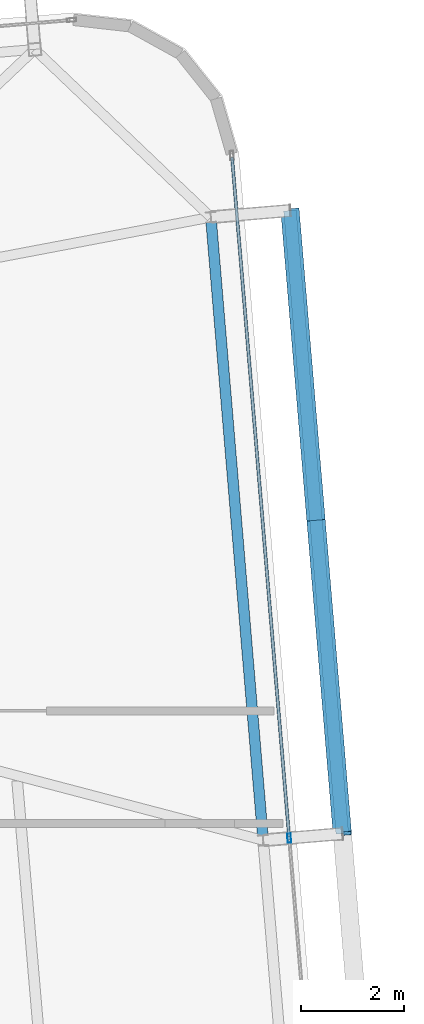
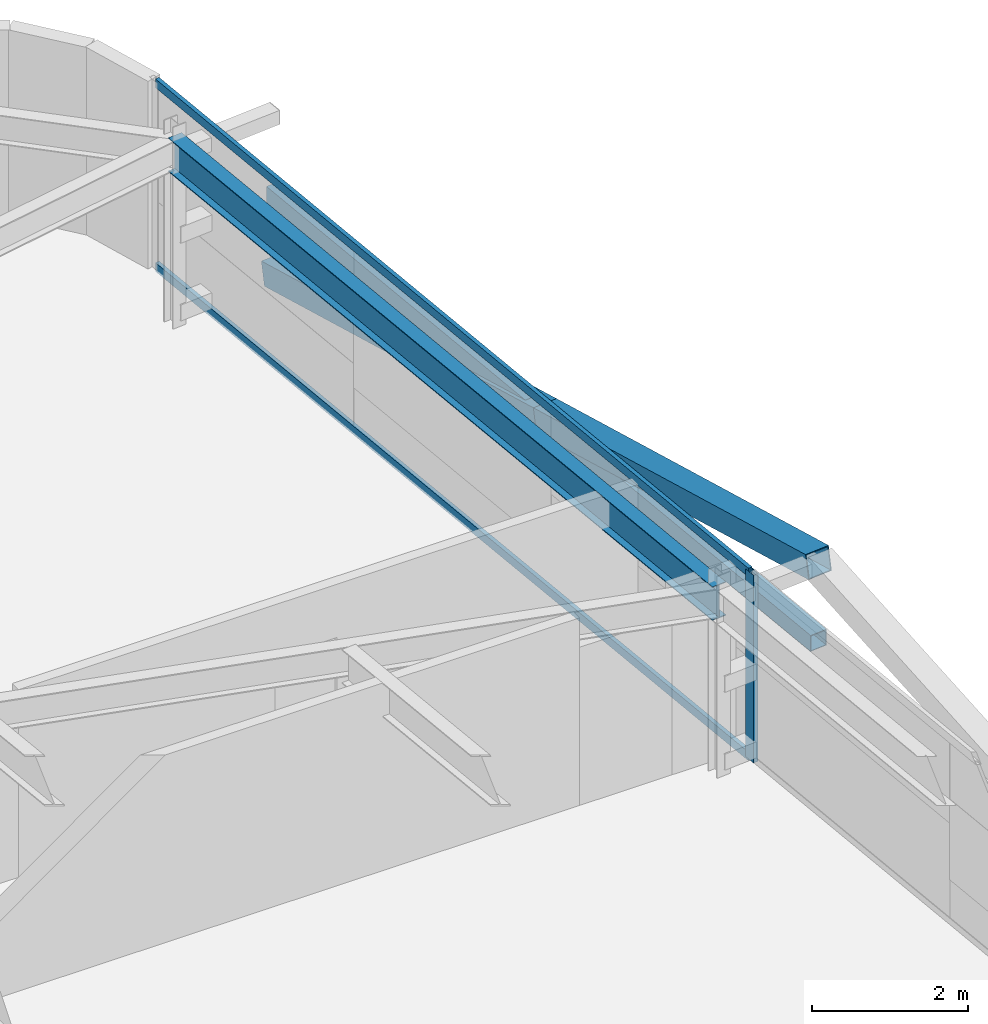
# One storey, part 20 of 39: 6 members, 1 beam, 1 element without a shape of its own.
"""IFC4 building model written with IfcOpenShell, lengths in metres."""

import ifcopenshell
import ifcopenshell.guid

model = None  # the IFC model being written
_history = None  # IfcOwnerHistory: only IFC2X3 demands one
_inside = {}  # id of a spatial element -> (the spatial element, [elements in it])
_under = {}  # id of a project, library or spatial element -> (it, [spatial elements below it])
_declared = {}  # id of a project -> (the project, [libraries it declares])
_typed = {}  # id of a type object -> (the type object, [elements of that type])
_made_of = {}  # id of a material, layer set ... -> (it, [elements and type objects made of it])


def new_model(schema):
    """Start an empty IFC model of exactly this schema.

    Asked for "IFC4X3", IfcOpenShell would pick the latest addendum, in which some entities
    have other attributes; the version numbers below select the first issue.
    IFC2X3 requires an IfcOwnerHistory on every rooted entity: one is made here for all.
    """
    global model, _history
    if schema == "IFC4X3":
        model = ifcopenshell.file(schema_version=(4, 3, 0, 0))
    else:
        model = ifcopenshell.file(schema=schema)
    _inside.clear()
    _under.clear()
    _declared.clear()
    _typed.clear()
    _made_of.clear()
    _history = None
    if model.schema == "IFC2X3":
        org = make("IfcOrganization", Name="unknown")
        user = make(
            "IfcPersonAndOrganization",
            ThePerson=make("IfcPerson", FamilyName="unknown"),
            TheOrganization=org,
        )
        app = make(
            "IfcApplication",
            ApplicationDeveloper=org,
            Version="unknown",
            ApplicationFullName="unknown",
            ApplicationIdentifier="unknown",
        )
        _history = make(
            "IfcOwnerHistory",
            OwningUser=user,
            OwningApplication=app,
            ChangeAction="ADDED",
            CreationDate=0,
        )
    return model


def make(cls, **values):
    """One entity of the class cls with the attributes given. An attribute that is None is left unset."""
    return model.create_entity(
        cls, **{name: value for name, value in values.items() if value is not None}
    )


def rooted(cls, **values):
    """An entity with a GlobalId (a new one), such as an element, a storey or a relation."""
    return make(cls, GlobalId=ifcopenshell.guid.new(), OwnerHistory=_history, **values)


def si_unit(unit_type, name, prefix=None):
    """IfcSIUnit, for example si_unit("LENGTHUNIT", "METRE", prefix="MILLI")."""
    return make("IfcSIUnit", UnitType=unit_type, Prefix=prefix, Name=name)


def assignment(units):
    """IfcUnitAssignment: the units of a project."""
    return None if units is None else make("IfcUnitAssignment", Units=units)


def point(xyz):
    """IfcCartesianPoint."""
    return None if xyz is None else make("IfcCartesianPoint", Coordinates=xyz)


def direction(xyz):
    """IfcDirection."""
    return None if xyz is None else make("IfcDirection", DirectionRatios=xyz)


def frame(location, z_axis=None, x_axis=None):
    """IfcAxis2Placement3D, a coordinate frame: its origin and axes. An axis left out is left unset."""
    return make(
        "IfcAxis2Placement3D",
        Location=point(location),
        Axis=direction(z_axis),
        RefDirection=direction(x_axis),
    )


def frame_2d(location, x_axis=None):
    """IfcAxis2Placement2D, a coordinate frame in the plane: its origin and x axis."""
    return make(
        "IfcAxis2Placement2D", Location=point(location), RefDirection=direction(x_axis)
    )


def origin():
    """The frame at (0, 0, 0) with its axes left unset."""
    return frame((0.0, 0.0, 0.0))


def origin_2d():
    """The frame at (0, 0) in the plane with its x axis left unset."""
    return frame_2d((0.0, 0.0))


def place(relative_to, where):
    """IfcLocalPlacement: puts the frame where relative to a parent placement (None: the world)."""
    return make(
        "IfcLocalPlacement", PlacementRelTo=relative_to, RelativePlacement=where
    )


def context(
    kind, dimensions, precision=None, world=None, true_north=None, identifier=None
):
    """IfcGeometricRepresentationContext, for example the 3D "Model" context."""
    return make(
        "IfcGeometricRepresentationContext",
        ContextIdentifier=identifier,
        ContextType=kind,
        CoordinateSpaceDimension=dimensions,
        Precision=precision,
        WorldCoordinateSystem=world,
        TrueNorth=true_north,
    )


def subcontext(parent, identifier, kind, view, scale=None):
    """IfcGeometricRepresentationSubContext, for example "Body" below "Model"."""
    return make(
        "IfcGeometricRepresentationSubContext",
        ContextIdentifier=identifier,
        ContextType=kind,
        ParentContext=parent,
        TargetScale=scale,
        TargetView=view,
    )


def project(units=None, contexts=None):
    """IfcProject with its units and contexts."""
    return rooted(
        "IfcProject",
        Name="project",
        RepresentationContexts=contexts,
        UnitsInContext=assignment(units),
    )


def spatial(cls, under=None, at=None, **own):
    """A site, building, storey or space (cls), placed at a placement, below another one or the project."""
    s = rooted(cls, ObjectPlacement=at, **own)
    if under is not None:
        _under.setdefault(under.id(), (under, []))[1].append(s)
    return s


def profile(cls, at=None, kind="AREA", **sizes):
    """A parametric profile (cls). Its sizes go by their IFC names, for example OverallWidth=200.0."""
    return make(cls, ProfileType=kind, Position=at, **sizes)


def hollow_rectangle(**sizes):
    """IfcRectangleHollowProfileDef."""
    return profile("IfcRectangleHollowProfileDef", **sizes)


def i_section(**sizes):
    """IfcIShapeProfileDef."""
    return profile("IfcIShapeProfileDef", **sizes)


def extrude(swept, where, along, depth):
    """IfcExtrudedAreaSolid: the profile swept, set in the frame where, extruded along a direction by depth."""
    return make(
        "IfcExtrudedAreaSolid",
        SweptArea=swept,
        Position=where,
        ExtrudedDirection=direction(along),
        Depth=depth,
    )


def shape(context_of_items, identifier, shape_type, items):
    """IfcShapeRepresentation: the items that make up one representation, for example the "Body"."""
    return make(
        "IfcShapeRepresentation",
        ContextOfItems=context_of_items,
        RepresentationIdentifier=identifier,
        RepresentationType=shape_type,
        Items=items,
    )


def source(mapping_origin, context_of_items, identifier, shape_type, items):
    """IfcRepresentationMap: a shape defined once, which mapped items show again and again."""
    return make(
        "IfcRepresentationMap",
        MappingOrigin=mapping_origin,
        MappedRepresentation=shape(context_of_items, identifier, shape_type, items),
    )


def transform(
    local_origin,
    x_axis=None,
    y_axis=None,
    z_axis=None,
    scale=None,
    scale2=None,
    scale3=None,
    uniform=True,
):
    """IfcCartesianTransformationOperator3D, or its non-uniform kind. x_axis, y_axis, z_axis: its Axis1, 2, 3."""
    if uniform:
        return make(
            "IfcCartesianTransformationOperator3D",
            Axis1=direction(x_axis),
            Axis2=direction(y_axis),
            LocalOrigin=point(local_origin),
            Scale=scale,
            Axis3=direction(z_axis),
        )
    return make(
        "IfcCartesianTransformationOperator3DnonUniform",
        Axis1=direction(x_axis),
        Axis2=direction(y_axis),
        LocalOrigin=point(local_origin),
        Scale=scale,
        Axis3=direction(z_axis),
        Scale2=scale2,
        Scale3=scale3,
    )


def mapped(mapping_source, mapping_target):
    """IfcMappedItem: shows the shape of a source again, moved by a transform."""
    return make(
        "IfcMappedItem", MappingSource=mapping_source, MappingTarget=mapping_target
    )


def material(Name=None, Category=None):
    """IfcMaterial."""
    return make("IfcMaterial", Name=Name, Category=Category)


def layer(
    of_material, thickness, ventilated=None, Name=None, Category=None, Priority=None
):
    """IfcMaterialLayer: one layer of a wall or slab, of a material (None: an air gap)."""
    return make(
        "IfcMaterialLayer",
        Material=of_material,
        LayerThickness=thickness,
        IsVentilated=ventilated,
        Name=Name,
        Category=Category,
        Priority=Priority,
    )


def layer_set(layers, Name=None):
    """IfcMaterialLayerSet."""
    return make("IfcMaterialLayerSet", MaterialLayers=layers, LayerSetName=Name)


def material_profile(
    of_material, cross_section, Name=None, Category=None, Priority=None
):
    """IfcMaterialProfile: a cross section and its material."""
    return make(
        "IfcMaterialProfile",
        Name=Name,
        Material=of_material,
        Profile=cross_section,
        Priority=Priority,
        Category=Category,
    )


def profile_set(profiles, Name=None, composite=None):
    """IfcMaterialProfileSet."""
    return make(
        "IfcMaterialProfileSet",
        Name=Name,
        MaterialProfiles=profiles,
        CompositeProfile=composite,
    )


def made_of(thing, what):
    """Note that an element or type object is made of a material, layer set ...; save() writes the relation."""
    if what is not None:
        _made_of.setdefault(what.id(), (what, []))[1].append(thing)
    return thing


def type_object(cls, material=None, **own):
    """A type object (cls), such as IfcWallType, which elements share."""
    return made_of(rooted(cls, **own), material)


def element(
    cls,
    number,
    at=None,
    inside=None,
    cuts=None,
    type_object=None,
    material=None,
    context=None,
    identifier="Body",
    shape_type=None,
    held_by="IfcProductDefinitionShape",
    body=None,
    shapes=None,
    **own,
):
    """One element of the class cls, such as IfcWall. Its Tag is "e" and its number.

    at: its placement. inside: the storey or other place that contains it. cuts: it is an
    opening in that element (IfcRelVoidsElement). A single representation is given by context,
    identifier, shape_type and body (its items); several are given by shapes. held_by: the class
    of the entity that holds the representations. save() writes the other relations.
    """
    e = rooted(cls, Tag="e%d" % number, ObjectPlacement=at, **own)
    if body is not None:
        shapes = [shape(context, identifier, shape_type, body)]
    if shapes is not None:
        e.Representation = make(held_by, Representations=shapes)
    if inside is not None:
        _inside.setdefault(inside.id(), (inside, []))[1].append(e)
    if cuts is not None:
        rooted(
            "IfcRelVoidsElement", RelatingBuildingElement=cuts, RelatedOpeningElement=e
        )
    if type_object is not None:
        _typed.setdefault(type_object.id(), (type_object, []))[1].append(e)
    return made_of(e, material)


def aggregate(whole, parts):
    """IfcRelAggregates: a whole, such as a stair, and the parts it consists of."""
    return rooted("IfcRelAggregates", RelatingObject=whole, RelatedObjects=parts)


def save(model, path):
    """Write the relations noted so far, then the file.

    IfcRelAggregates (storeys below a building ...), IfcRelContainedInSpatialStructure (elements
    in a storey), IfcRelDefinesByType, IfcRelAssociatesMaterial and IfcRelDeclares: one each for
    every whole, place, type object, material and project.
    """
    for whole, parts in _under.values():
        aggregate(whole, parts)
    for where, things in _inside.values():
        rooted(
            "IfcRelContainedInSpatialStructure",
            RelatedElements=things,
            RelatingStructure=where,
        )
    for kind, things in _typed.values():
        rooted("IfcRelDefinesByType", RelatedObjects=things, RelatingType=kind)
    for what, things in _made_of.values():
        rooted("IfcRelAssociatesMaterial", RelatedObjects=things, RelatingMaterial=what)
    for by, libraries in _declared.values():
        rooted("IfcRelDeclares", RelatingContext=by, RelatedDefinitions=libraries)
    model.write(path)


model = new_model("IFC4")

# Units and contexts
model_context = context("Model", 3, precision=1e-05, world=origin(), true_north=direction((0.0, 1.0)))
body_context = subcontext(model_context, "Body", "Model", "MODEL_VIEW")
ifc_project = project(units=[si_unit("LENGTHUNIT", "METRE"), si_unit("AREAUNIT", "SQUARE_METRE"), si_unit("VOLUMEUNIT", "CUBIC_METRE"), si_unit("PLANEANGLEUNIT", "RADIAN"), si_unit("MASSUNIT", "GRAM", prefix="KILO")], contexts=[model_context])

# Site, building, storey
site_placement = place(None, origin())
site = spatial("IfcSite", under=ifc_project, at=site_placement, CompositionType="ELEMENT")
building_placement = place(site_placement, origin())
building = spatial("IfcBuilding", under=site, at=building_placement, Name="Taldren Reach Tower", CompositionType="ELEMENT")
storey_placement = place(building_placement, frame((0.0, 0.0, 197.75)))
storey = spatial("IfcBuildingStorey", under=building, at=storey_placement, Name="L60", CompositionType="ELEMENT", Elevation=197.75)

# Beam
ifc_material_1 = material(Name="Steel Gr 350 (350PLUS)", Category="steel")
ifc_material_profile_1 = material_profile(ifc_material_1, i_section(OverallWidth=0.208984375, OverallDepth=0.528076171875, WebThickness=0.009521484375, FlangeThickness=0.01318359375, at=origin_2d()), Name="530UB82.0")
ifc_profile_set_1 = profile_set([ifc_material_profile_1], Name="Steel Gr 350 (350PLUS)")
beam_type = type_object("IfcBeamType", Name="SP-UB530B", PredefinedType="SPANDREL", material=ifc_profile_set_1)
shared_shape_1 = source(origin(), body_context, "Body", "SweptSolid", [
    extrude(i_section(OverallWidth=0.208984375, OverallDepth=0.528076171875, WebThickness=0.009521484375, FlangeThickness=0.01318359375, at=origin_2d()), origin(), (0.0, 0.0, 1.0), 12.199951171875),
])
beam_placement = place(storey_placement, frame((60.6171875, 21.474853515625, 2.666015625), z_axis=(-0.083668166953, 0.99649367175, 0.0), x_axis=(-0.99649367175, -0.083668166953, 0.0)))
element("IfcBeam", 1, at=beam_placement, inside=storey, type_object=beam_type, Name="Perimeter spandrel B4 E2-E3 L60", PredefinedType="SPANDREL", context=body_context, shape_type="MappedRepresentation", body=[
    mapped(shared_shape_1, transform((0.0, 0.0, 0.0), scale=1.0)),
])

# Members
ifc_material_2 = material(Name="Steel Gr 350 (C350L0)", Category="steel")
ifc_material_profile_2 = material_profile(ifc_material_2, hollow_rectangle(XDim=0.25, YDim=0.25, WallThickness=0.010009765625, at=origin_2d()), Name="250x250x10.0SHS")
ifc_profile_set_2 = profile_set([ifc_material_profile_2], Name="Steel Gr 350 (C350L0)")
member_type_1 = type_object("IfcMemberType", Name="MB-POST250", PredefinedType="POST", material=ifc_profile_set_2)
shared_shape_2 = source(origin(), body_context, "Body", "SweptSolid", [
    extrude(hollow_rectangle(XDim=0.25, YDim=0.25, WallThickness=0.010009765625, at=origin_2d()), origin(), (0.0, 0.0, 1.0), 12.199951171875),
])
member_1_placement = place(storey_placement, frame((62.161865234375, 21.6044921875, 1.43505859375), z_axis=(-0.083688038336, 0.996492003099, 0.0), x_axis=(-0.996492003099, -0.083688038336, 0.0)))
element("IfcMember", 2, at=member_1_placement, inside=storey, type_object=member_type_1, Name="Exoskeleton mid-height ring chord B4-E2 L60", PredefinedType="POST", context=body_context, shape_type="MappedRepresentation", body=[
    mapped(shared_shape_2, transform((0.0, 0.0, 0.0), scale=1.0)),
])
ifc_material_3 = material(Name="Steel Gr 450 (C450L0)", Category="steel")
ifc_material_profile_3 = material_profile(ifc_material_3, hollow_rectangle(XDim=0.360107421875, YDim=0.360107421875, WallThickness=0.0126953125, at=origin_2d()), Name="360x360x12.7SHS")
ifc_profile_set_3 = profile_set([ifc_material_profile_3], Name="Steel Gr 450 (C450L0)")
member_type_2 = type_object("IfcMemberType", Name="MB-EXO356", PredefinedType="BRACE", material=ifc_profile_set_3)
shared_shape_3 = source(origin(), body_context, "Body", "SweptSolid", [
    extrude(hollow_rectangle(XDim=0.360107421875, YDim=0.360107421875, WallThickness=0.0126953125, at=origin_2d()), origin(), (0.0, 0.0, 1.0), 6.219970703125),
])
member_2_placement = place(storey_placement, frame((61.140869140625, 33.76171875, 0.219970703125), z_axis=(0.082075564879, -0.977291924611, 0.195356330179), x_axis=(0.996492003099, 0.083688038336, 0.0)))
element("IfcMember", 3, at=member_2_placement, inside=storey, type_object=member_type_2, Name="Exoskeleton Diagrid Brace B4-E2 L60", PredefinedType="BRACE", context=body_context, shape_type="MappedRepresentation", body=[
    mapped(shared_shape_3, transform((0.0, 0.0, 0.0), scale=1.0)),
])
shared_shape_4 = source(origin(), body_context, "Body", "SweptSolid", [
    extrude(hollow_rectangle(XDim=0.360107421875, YDim=0.360107421875, WallThickness=0.0126953125, at=origin_2d()), origin(), (0.0, 0.0, 1.0), 6.2197265625),
])
member_3_placement = place(storey_placement, frame((61.6513671875, 27.68310546875, 1.43505859375), z_axis=(0.082076194186, -0.977299417909, 0.19531857593), x_axis=(0.996492003099, 0.083688038336, 0.0)))
element("IfcMember", 4, at=member_3_placement, inside=storey, type_object=member_type_2, Name="Exoskeleton Diagrid Brace B4-E2 L60", PredefinedType="BRACE", context=body_context, shape_type="MappedRepresentation", body=[
    mapped(shared_shape_4, transform((0.0, 0.0, 0.0), scale=1.0)),
])

# Curtain wall, members
ifc_material_4 = material(Name="Aluminium and Low-E Glass Unitised System", Category="aluminium")
ifc_layer = layer(ifc_material_4, 0.159912109375)
ifc_layer_set = layer_set([ifc_layer], Name="Aluminium and Low-E Glass Unitised System")
curtain_wall_type = type_object("IfcCurtainWallType", Name="CW-SYS-5", PredefinedType="NOTDEFINED", material=ifc_layer_set)
curtain_wall_placement = place(storey_placement, origin())
curtain_wall = element("IfcCurtainWall", 5, at=curtain_wall_placement, inside=storey, type_object=curtain_wall_type, Name="Unitised curtain wall CW-L60-E", PredefinedType="NOTDEFINED")
ifc_material_5 = material(Name="Anodised Aluminium 6063-T6", Category="aluminium")
ifc_material_profile_4 = material_profile(ifc_material_5, hollow_rectangle(XDim=0.070068359375, YDim=0.179931640625, WallThickness=0.00390625, at=origin_2d()), Name="ALU-180x70x4RHS")
ifc_profile_set_4 = profile_set([ifc_material_profile_4], Name="Anodised Aluminium 6063-T6")
member_type_3 = type_object("IfcMemberType", Name="CW-MUL-180", PredefinedType="MULLION", material=ifc_profile_set_4)
shared_shape_5 = source(origin(), body_context, "Body", "SweptSolid", [
    extrude(hollow_rectangle(XDim=0.070068359375, YDim=0.179931640625, WallThickness=0.00390625, at=origin_2d()), origin(), (0.0, 0.0, 1.0), 2.929931640625),
])
member_4_placement = place(storey_placement, frame((61.12548828125, 21.517578125, 0.0), z_axis=(0.0, 0.0, 1.0), x_axis=(-0.996492847789, -0.083677979808, 0.0)))
member_4 = element("IfcMember", 6, at=member_4_placement, type_object=member_type_3, Name="CW-5 mullion 2", PredefinedType="MULLION", context=body_context, shape_type="MappedRepresentation", body=[
    mapped(shared_shape_5, transform((0.0, 0.0, 0.0), scale=1.0)),
])
ifc_material_profile_5 = material_profile(ifc_material_5, hollow_rectangle(XDim=0.06005859375, YDim=0.135009765625, WallThickness=0.00341796875, at=origin_2d()), Name="ALU-135x60x3.5RHS")
ifc_profile_set_5 = profile_set([ifc_material_profile_5], Name="Anodised Aluminium 6063-T6")
member_type_4 = type_object("IfcMemberType", Name="CW-TRN-150", PredefinedType="USERDEFINED", material=ifc_profile_set_5)
shared_shape_6 = source(origin(), body_context, "Body", "SweptSolid", [
    extrude(hollow_rectangle(XDim=0.06005859375, YDim=0.135009765625, WallThickness=0.00341796875, at=origin_2d()), origin(), (0.0, 0.0, 1.0), 13.295166015625),
])
member_5_placement = place(storey_placement, frame((61.12255859375, 21.55224609375, 0.030029296875), z_axis=(-0.083680700004, 0.996492619364, 0.0), x_axis=(-0.996492619364, -0.083680700004, 0.0)))
member_5 = element("IfcMember", 7, at=member_5_placement, type_object=member_type_4, Name="CW-5 transom 2.1", ObjectType="TRANSOM", PredefinedType="USERDEFINED", context=body_context, shape_type="MappedRepresentation", body=[
    mapped(shared_shape_6, transform((0.0, 0.0, 0.0), scale=1.0)),
])
member_6_placement = place(storey_placement, frame((61.12255859375, 21.55224609375, 2.89990234375), z_axis=(-0.083680700004, 0.996492619364, 0.0), x_axis=(-0.996492619364, -0.083680700004, 0.0)))
member_6 = element("IfcMember", 8, at=member_6_placement, type_object=member_type_4, Name="CW-5 transom 2.2", ObjectType="TRANSOM", PredefinedType="USERDEFINED", context=body_context, shape_type="MappedRepresentation", body=[
    mapped(shared_shape_6, transform((0.0, 0.0, 0.0), scale=1.0)),
])
aggregate(curtain_wall, [member_4, member_5, member_6])

save(model, "model.ifc")
